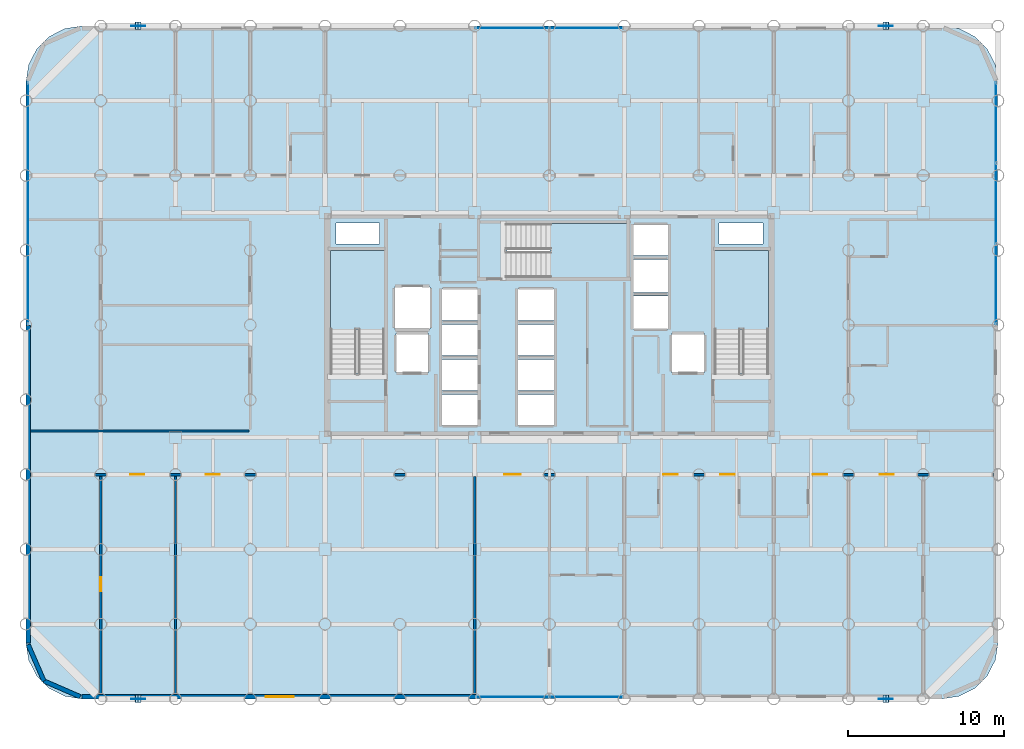
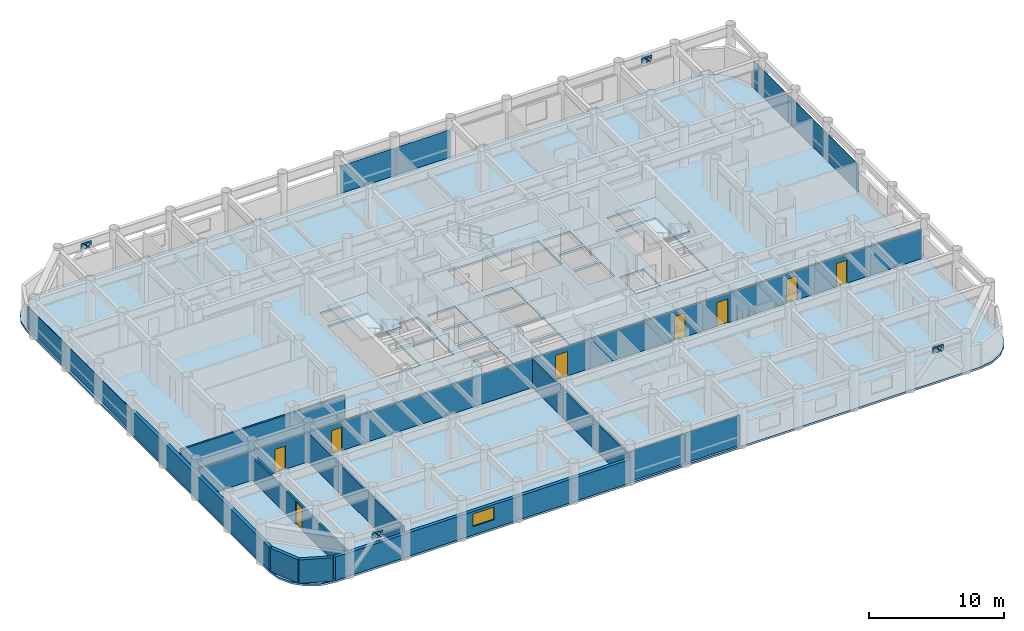
# One storey, part 15 of 21: 20 plates, 9 walls, 8 doors, 4 slabs, 1 window, 9 openings, 7 elements without a shape of their own.
"""IFC4 building model written with IfcOpenShell, lengths in metres."""

from ifc_helpers import new_model, si_unit, direction, frame, frame_2d, origin, origin_2d, place, context, subcontext, project, spatial, polyline, rectangle, outline, extrude, material, layer, layer_set, type_object, element, fill, aggregate, save


model = new_model("IFC4")

# Units and contexts
model_context = context("Model", 3, precision=1e-05, world=origin(), true_north=direction((0.0, 1.0)))
body_context = subcontext(model_context, "Body", "Model", "MODEL_VIEW")
ifc_project = project(units=[si_unit("LENGTHUNIT", "METRE"), si_unit("AREAUNIT", "SQUARE_METRE"), si_unit("VOLUMEUNIT", "CUBIC_METRE"), si_unit("PLANEANGLEUNIT", "RADIAN"), si_unit("MASSUNIT", "GRAM", prefix="KILO")], contexts=[model_context])

# Site, building, storey
site_placement = place(None, origin())
site = spatial("IfcSite", under=ifc_project, at=site_placement, CompositionType="ELEMENT")
building_placement = place(site_placement, origin())
building = spatial("IfcBuilding", under=site, at=building_placement, Name="Kallvorn Hotel Tower", CompositionType="ELEMENT")
storey_placement = place(building_placement, frame((0.0, 0.0, 44.800048828125)))
storey = spatial("IfcBuildingStorey", under=building, at=storey_placement, Name="L09", CompositionType="ELEMENT", Elevation=44.800048828125)

# Curtain wall, plates
ifc_material_1 = material(Name="Thermally broken black-anodised aluminium AA 6063-T6", Category="aluminium")
ifc_layer_1 = layer(ifc_material_1, 0.199951171875)
ifc_layer_set_1 = layer_set([ifc_layer_1], Name="CW_SYS_3_HOTEL_LOW")
curtain_wall_type = type_object("IfcCurtainWallType", Name="CW_SYS_3_HOTEL_LOW", PredefinedType="USERDEFINED", material=ifc_layer_set_1)
curtain_wall_1_placement = place(storey_placement, origin())
curtain_wall_1 = element("IfcCurtainWall", 1, at=curtain_wall_1_placement, inside=storey, type_object=curtain_wall_type, Name="L09 Dark-Glass Curtain Wall CW-L09-SC", ObjectType="UNITISED CURTAIN WALL", PredefinedType="USERDEFINED")
ifc_material_2 = material(Name="Double-glazed low-e solar-control dark glass", Category="glass")
ifc_layer_2 = layer(ifc_material_2, 0.035888671875)
ifc_layer_set_2 = layer_set([ifc_layer_2], Name="CW_SYS_3_HOTEL_LOW_PANEL")
plate_type_1 = type_object("IfcPlateType", Name="CW_SYS_3_HOTEL_LOW_PANEL", PredefinedType="CURTAIN_PANEL", material=ifc_layer_set_2)
plate_1_placement = place(storey_placement, frame((-2.375, -23.8798828125, 0.06005859375), z_axis=(0.0, 0.0, 1.0), x_axis=(1.0, 0.0, 0.0)))
plate_1 = element("IfcPlate", 2, at=plate_1_placement, type_object=plate_type_1, Name="CW-L09-SC Vision Glass Panel 00", PredefinedType="CURTAIN_PANEL", context=body_context, shape_type="SweptSolid", body=[
    extrude(rectangle(XDim=4.68994140625, YDim=0.035888671875, at=origin_2d()), origin(), (0.0, 0.0, 1.0), 2.699951171875),
])
plate_2_placement = place(storey_placement, frame((2.375, -23.8798828125, 0.06005859375), z_axis=(0.0, 0.0, 1.0), x_axis=(1.0, 0.0, 0.0)))
plate_2 = element("IfcPlate", 3, at=plate_2_placement, type_object=plate_type_1, Name="CW-L09-SC Vision Glass Panel 01", PredefinedType="CURTAIN_PANEL", context=body_context, shape_type="SweptSolid", body=[
    extrude(rectangle(XDim=4.68994140625, YDim=0.035888671875, at=origin_2d()), origin(), (0.0, 0.0, 1.0), 2.699951171875),
])
aggregate(curtain_wall_1, [plate_1, plate_2])

curtain_wall_2_placement = place(storey_placement, origin())
curtain_wall_2 = element("IfcCurtainWall", 4, at=curtain_wall_2_placement, inside=storey, type_object=curtain_wall_type, Name="L09 Dark-Glass Curtain Wall CW-L09-NC", ObjectType="UNITISED CURTAIN WALL", PredefinedType="USERDEFINED")
plate_3_placement = place(storey_placement, frame((-2.375, 19.080078125, 0.06005859375), z_axis=(0.0, 0.0, 1.0), x_axis=(1.0, 0.0, 0.0)))
plate_3 = element("IfcPlate", 5, at=plate_3_placement, type_object=plate_type_1, Name="CW-L09-NC Vision Glass Panel 00", PredefinedType="CURTAIN_PANEL", context=body_context, shape_type="SweptSolid", body=[
    extrude(rectangle(XDim=4.68994140625, YDim=0.035888671875, at=origin_2d()), origin(), (0.0, 0.0, 1.0), 2.5),
])
plate_4_placement = place(storey_placement, frame((2.375, 19.080078125, 0.06005859375), z_axis=(0.0, 0.0, 1.0), x_axis=(1.0, 0.0, 0.0)))
plate_4 = element("IfcPlate", 6, at=plate_4_placement, type_object=plate_type_1, Name="CW-L09-NC Vision Glass Panel 01", PredefinedType="CURTAIN_PANEL", context=body_context, shape_type="SweptSolid", body=[
    extrude(rectangle(XDim=4.68994140625, YDim=0.035888671875, at=origin_2d()), origin(), (0.0, 0.0, 1.0), 2.5),
])
aggregate(curtain_wall_2, [plate_3, plate_4])

# Curtain wall, plate
curtain_wall_3_placement = place(storey_placement, origin())
curtain_wall_3 = element("IfcCurtainWall", 7, at=curtain_wall_3_placement, inside=storey, type_object=curtain_wall_type, Name="L09 Dark-Glass Curtain Wall CW-L09-WN", ObjectType="UNITISED CURTAIN WALL", PredefinedType="USERDEFINED")
plate_5_placement = place(storey_placement, frame((-33.47998046875, 7.81005859375, 0.06005859375), z_axis=(0.0, 0.0, 1.0), x_axis=(0.0, 1.0, 0.0)))
plate_5 = element("IfcPlate", 8, at=plate_5_placement, type_object=plate_type_1, Name="CW-L09-WN Vision Glass Panel 00", PredefinedType="CURTAIN_PANEL", context=body_context, shape_type="SweptSolid", body=[
    extrude(rectangle(XDim=15.52001953125, YDim=0.035888671875, at=origin_2d()), origin(), (0.0, 0.0, 1.0), 2.0),
])
aggregate(curtain_wall_3, [plate_5])

# Curtain wall, plates
curtain_wall_4_placement = place(storey_placement, origin())
curtain_wall_4 = element("IfcCurtainWall", 9, at=curtain_wall_4_placement, inside=storey, type_object=curtain_wall_type, Name="L09 Dark-Glass Curtain Wall CW-L09-EN", ObjectType="UNITISED CURTAIN WALL", PredefinedType="USERDEFINED")
plate_6_placement = place(storey_placement, frame((28.679931640625, 2.61669921875, 0.06005859375), z_axis=(0.0, 0.0, 1.0), x_axis=(0.0, 1.0, 0.0)))
plate_6 = element("IfcPlate", 10, at=plate_6_placement, type_object=plate_type_1, Name="CW-L09-EN Vision Glass Panel 00", PredefinedType="CURTAIN_PANEL", context=body_context, shape_type="SweptSolid", body=[
    extrude(rectangle(XDim=5.13330078125, YDim=0.035888671875, at=origin_2d()), origin(), (0.0, 0.0, 1.0), 2.5),
])
plate_7_placement = place(storey_placement, frame((28.679931640625, 7.81005859375, 0.06005859375), z_axis=(0.0, 0.0, 1.0), x_axis=(0.0, 1.0, 0.0)))
plate_7 = element("IfcPlate", 11, at=plate_7_placement, type_object=plate_type_1, Name="CW-L09-EN Vision Glass Panel 01", PredefinedType="CURTAIN_PANEL", context=body_context, shape_type="SweptSolid", body=[
    extrude(rectangle(XDim=5.13330078125, YDim=0.035888671875, at=origin_2d()), origin(), (0.0, 0.0, 1.0), 2.5),
])
plate_8_placement = place(storey_placement, frame((28.679931640625, 13.00341796875, 0.06005859375), z_axis=(0.0, 0.0, 1.0), x_axis=(0.0, 1.0, 0.0)))
plate_8 = element("IfcPlate", 12, at=plate_8_placement, type_object=plate_type_1, Name="CW-L09-EN Vision Glass Panel 02", PredefinedType="CURTAIN_PANEL", context=body_context, shape_type="SweptSolid", body=[
    extrude(rectangle(XDim=5.13330078125, YDim=0.035888671875, at=origin_2d()), origin(), (0.0, 0.0, 1.0), 2.5),
])
aggregate(curtain_wall_4, [plate_6, plate_7, plate_8])

# Plates
ifc_material_3 = material(Name="Structural steel S355JR", Category="steel")
ifc_layer_3 = layer(ifc_material_3, 0.030029296875)
ifc_layer_set_3 = layer_set([ifc_layer_3], Name="PLT_CAP_30")
plate_type_2 = type_object("IfcPlateType", Name="PLT_CAP_30", PredefinedType="SHEET", material=ifc_layer_set_3)
for number, where, z_axis, x_axis, name in (
    (13, (-26.20947265625, -24.2431640625, 2.80859375), (0.653515319717, 0.0, 0.756913288888), (0.0, 1.0, 0.0), "EXO-L09-S1A End Cap Plate B"),
    (14, (-26.590576171875, -23.7568359375, 2.80859375), (-0.653515319717, 0.0, 0.756913288888), (0.0, -1.0, 0.0), "EXO-L09-S1B End Cap Plate B"),
    (15, (21.79052734375, -24.2431640625, 2.80859375), (0.653515319717, 0.0, 0.756913288888), (0.0, 1.0, 0.0), "EXO-L09-S2A End Cap Plate B"),
    (16, (21.409423828125, -23.7568359375, 2.80859375), (-0.653515319717, 0.0, 0.756913288888), (0.0, -1.0, 0.0), "EXO-L09-S2B End Cap Plate B"),
    (17, (-26.20947265625, 18.956787109375, 2.80859375), (0.653515319717, 0.0, 0.756913288888), (0.0, 1.0, 0.0), "EXO-L09-N1A End Cap Plate B"),
    (18, (-26.590576171875, 19.443115234375, 2.80859375), (-0.653515319717, 0.0, 0.756913288888), (0.0, -1.0, 0.0), "EXO-L09-N1B End Cap Plate B"),
    (19, (21.79052734375, 18.956787109375, 2.80859375), (0.653515319717, 0.0, 0.756913288888), (0.0, 1.0, 0.0), "EXO-L09-N2A End Cap Plate B"),
    (20, (21.409423828125, 19.443115234375, 2.80859375), (-0.653515319717, 0.0, 0.756913288888), (0.0, -1.0, 0.0), "EXO-L09-N2B End Cap Plate B"),
):
    element("IfcPlate", number, at=place(storey_placement, frame(where, z_axis=z_axis, x_axis=x_axis)), inside=storey, type_object=plate_type_2, Name=name, PredefinedType="SHEET", context=body_context, shape_type="SweptSolid", body=[
        extrude(outline(polyline([(0.0, 0.0), (0.486328125, 0.0), (0.486328125, 0.4864019008580509), (0.0, 0.4864019008580509), (0.0, 0.0)])), origin(), (0.0, 0.0, -1.0), 0.030029296875),
    ])
ifc_material_4 = material(Name="Structural steel S355JR", Category="steel")
ifc_layer_4 = layer(ifc_material_4, 0.044921875)
ifc_layer_set_4 = layer_set([ifc_layer_4], Name="PLT_GUSSET_45")
plate_type_3 = type_object("IfcPlateType", Name="PLT_GUSSET_45", PredefinedType="USERDEFINED", material=ifc_layer_set_4)
for number, where, z_axis, x_axis, name in (
    (21, (-26.39990234375, -24.0, 2.639892578125), (0.0, 0.0, 1.0), (1.0, 0.0, 0.0), "L09 Exoskeleton Node Gusset S1"),
    (22, (21.60009765625, -24.0, 2.639892578125), (0.0, 0.0, 1.0), (1.0, 0.0, 0.0), "L09 Exoskeleton Node Gusset S2"),
    (23, (-26.39990234375, 19.199951171875, 2.639892578125), (0.0, 0.0, 1.0), (1.0, 0.0, 0.0), "L09 Exoskeleton Node Gusset N1"),
    (24, (21.60009765625, 19.199951171875, 2.639892578125), (0.0, 0.0, 1.0), (1.0, 0.0, 0.0), "L09 Exoskeleton Node Gusset N2"),
):
    element("IfcPlate", number, at=place(storey_placement, frame(where, z_axis=z_axis, x_axis=x_axis)), inside=storey, type_object=plate_type_3, Name=name, ObjectType="GUSSET PLATE", PredefinedType="USERDEFINED", context=body_context, shape_type="SweptSolid", body=[
        extrude(rectangle(XDim=0.89990234375, YDim=0.044921875, at=origin_2d()), origin(), (0.0, 0.0, 1.0), 0.56005859375),
    ])

# Stair, slab
ifc_material_5 = material(Name="Precast concrete C40/50", Category="concrete")
stair_type = type_object("IfcStairType", Name="STR_CORE_DOGLEG", PredefinedType="HALF_TURN_STAIR", material=ifc_material_5)
stair_1_placement = place(storey_placement, origin())
stair_1 = element("IfcStair", 25, at=stair_1_placement, inside=storey, type_object=stair_type, Name="L09 Exit stair ST1", PredefinedType="HALF_TURN_STAIR")
ifc_material_6 = material(Name="Precast concrete C40/50", Category="concrete")
ifc_layer_5 = layer(ifc_material_6, 0.179931640625)
ifc_layer_set_5 = layer_set([ifc_layer_5], Name="SLB_LANDING_180")
slab_type_1 = type_object("IfcSlabType", Name="SLB_LANDING_180", PredefinedType="LANDING", material=ifc_layer_set_5)
slab_1_placement = place(storey_placement, frame((0.0, 0.0, 1.64990234375)))
slab_1 = element("IfcSlab", 26, at=slab_1_placement, type_object=slab_type_1, Name="ST1 landing 1", PredefinedType="LANDING", context=body_context, shape_type="SweptSolid", body=[
    extrude(outline(polyline([(-10.60009765625, -0.31005859375), (-10.60009765625, 4.800048828125), (-14.06005859375, 4.800048828125), (-14.06005859375, -0.31005859375), (-10.60009765625, -0.31005859375)])), origin(), (0.0, 0.0, 1.0), 0.199951171875),
])
aggregate(stair_1, [slab_1])

stair_2_placement = place(storey_placement, origin())
stair_2 = element("IfcStair", 27, at=stair_2_placement, inside=storey, type_object=stair_type, Name="L09 Exit stair ST2", PredefinedType="HALF_TURN_STAIR")
slab_2_placement = place(storey_placement, frame((0.0, 0.0, 1.64990234375)))
slab_2 = element("IfcSlab", 28, at=slab_2_placement, type_object=slab_type_1, Name="ST2 landing 1", PredefinedType="LANDING", context=body_context, shape_type="SweptSolid", body=[
    extrude(outline(polyline([(14.06005859375, -0.31005859375), (14.06005859375, 4.800048828125), (10.60009765625, 4.800048828125), (10.60009765625, -0.31005859375), (14.06005859375, -0.31005859375)])), origin(), (0.0, 0.0, 1.0), 0.199951171875),
])
aggregate(stair_2, [slab_2])

stair_3_placement = place(storey_placement, origin())
stair_3 = element("IfcStair", 29, at=stair_3_placement, inside=storey, type_object=stair_type, Name="L09 Exit stair ST3", PredefinedType="HALF_TURN_STAIR")
slab_3_placement = place(storey_placement, frame((0.0, 0.0, 1.64990234375)))
slab_3 = element("IfcSlab", 30, at=slab_3_placement, type_object=slab_type_1, Name="ST3 landing 1", PredefinedType="LANDING", context=body_context, shape_type="SweptSolid", body=[
    extrude(outline(polyline([(0.0400390625, 3.050048828125), (5.050048828125, 3.050048828125), (5.050048828125, 6.510009765625), (0.0400390625, 6.510009765625), (0.0400390625, 3.050048828125)])), origin(), (0.0, 0.0, 1.0), 0.199951171875),
])
aggregate(stair_3, [slab_3])

# Slab
ifc_material_7 = material(Name="Concrete C40/50", Category="concrete")
ifc_layer_6 = layer(ifc_material_7, 0.179931640625)
ifc_layer_set_6 = layer_set([ifc_layer_6], Name="SLB_TOWER_180")
slab_type_2 = type_object("IfcSlabType", Name="SLB_TOWER_180", PredefinedType="FLOOR", material=ifc_layer_set_6)
slab_4_placement = place(storey_placement, frame((0.0, 0.0, -0.179931640625)))
element("IfcSlab", 31, at=slab_4_placement, inside=storey, type_object=slab_type_2, Name="L09 Structural Floor Slab", PredefinedType="FLOOR", context=body_context, shape_type="SweptSolid", body=[
    extrude(outline(polyline([(25.199951171875, -24.0), (26.3125, -23.82373046875), (27.31591796875, -23.3125), (28.112548828125, -22.51611328125), (28.623779296875, -21.512451171875), (28.800048828125, -20.39990234375), (28.800048828125, 15.60009765625), (28.623779296875, 16.71240234375), (28.112548828125, 17.716064453125), (27.31591796875, 18.512451171875), (26.3125, 19.023681640625), (25.199951171875, 19.199951171875), (-30.0, 19.199951171875), (-31.112548828125, 19.023681640625), (-32.115966796875, 18.512451171875), (-32.91259765625, 17.716064453125), (-33.423828125, 16.71240234375), (-33.60009765625, 15.60009765625), (-33.60009765625, -20.39990234375), (-33.423828125, -21.512451171875), (-32.91259765625, -22.51611328125), (-32.115966796875, -23.3125), (-31.112548828125, -23.82373046875), (-30.0, -24.0), (25.199951171875, -24.0)]), holes=[polyline([(-10.60009765625, -3.070068359375), (-10.60009765625, 4.800048828125), (-14.06005859375, 4.800048828125), (-14.06005859375, -3.070068359375), (-10.60009765625, -3.070068359375)]), polyline([(14.06005859375, -3.070068359375), (14.06005859375, 4.800048828125), (10.60009765625, 4.800048828125), (10.60009765625, -3.070068359375), (14.06005859375, -3.070068359375)]), polyline([(-2.719970703125, 3.050048828125), (5.050048828125, 3.050048828125), (5.050048828125, 6.510009765625), (-2.719970703125, 6.510009765625), (-2.719970703125, 3.050048828125)]), polyline([(-6.949951171875, -6.449951171875), (-4.550048828125, -6.449951171875), (-4.550048828125, -4.449951171875), (-6.949951171875, -4.449951171875), (-6.949951171875, -6.449951171875)]), polyline([(-6.949951171875, -4.199951171875), (-4.550048828125, -4.199951171875), (-4.550048828125, -2.199951171875), (-6.949951171875, -2.199951171875), (-6.949951171875, -4.199951171875)]), polyline([(-6.949951171875, -1.949951171875), (-4.550048828125, -1.949951171875), (-4.550048828125, 0.050048828125), (-6.949951171875, 0.050048828125), (-6.949951171875, -1.949951171875)]), polyline([(-6.949951171875, 0.300048828125), (-4.550048828125, 0.300048828125), (-4.550048828125, 2.300048828125), (-6.949951171875, 2.300048828125), (-6.949951171875, 0.300048828125)]), polyline([(-2.050048828125, -6.449951171875), (0.35009765625, -6.449951171875), (0.35009765625, -4.449951171875), (-2.050048828125, -4.449951171875), (-2.050048828125, -6.449951171875)]), polyline([(-2.050048828125, -4.199951171875), (0.35009765625, -4.199951171875), (0.35009765625, -2.199951171875), (-2.050048828125, -2.199951171875), (-2.050048828125, -4.199951171875)]), polyline([(-2.050048828125, -1.949951171875), (0.35009765625, -1.949951171875), (0.35009765625, 0.050048828125), (-2.050048828125, 0.050048828125), (-2.050048828125, -1.949951171875)]), polyline([(-2.050048828125, 0.300048828125), (0.35009765625, 0.300048828125), (0.35009765625, 2.300048828125), (-2.050048828125, 2.300048828125), (-2.050048828125, 0.300048828125)]), polyline([(5.35009765625, -0.25), (7.64990234375, -0.25), (7.64990234375, 1.85009765625), (5.35009765625, 1.85009765625), (5.35009765625, -0.25)]), polyline([(5.35009765625, 2.10009765625), (7.64990234375, 2.10009765625), (7.64990234375, 4.199951171875), (5.35009765625, 4.199951171875), (5.35009765625, 2.10009765625)]), polyline([(5.35009765625, 4.449951171875), (7.64990234375, 4.449951171875), (7.64990234375, 6.449951171875), (5.35009765625, 6.449951171875), (5.35009765625, 4.449951171875)]), polyline([(-9.85009765625, -3.050048828125), (-7.75, -3.050048828125), (-7.75, -0.550048828125), (-9.85009765625, -0.550048828125), (-9.85009765625, -3.050048828125)]), polyline([(7.85009765625, -3.050048828125), (9.949951171875, -3.050048828125), (9.949951171875, -0.550048828125), (7.85009765625, -0.550048828125), (7.85009765625, -3.050048828125)]), polyline([(-9.949951171875, -0.25), (-7.64990234375, -0.25), (-7.64990234375, 2.449951171875), (-9.949951171875, 2.449951171875), (-9.949951171875, -0.25)]), polyline([(-13.699951171875, 5.199951171875), (-10.89990234375, 5.199951171875), (-10.89990234375, 6.550048828125), (-13.699951171875, 6.550048828125), (-13.699951171875, 5.199951171875)]), polyline([(10.89990234375, 5.199951171875), (13.699951171875, 5.199951171875), (13.699951171875, 6.550048828125), (10.89990234375, 6.550048828125), (10.89990234375, 5.199951171875)])]), origin(), (0.0, 0.0, 1.0), 0.179931640625),
])

# Wall, openings, doors
ifc_material_8 = material(Name="Fire-rated double-layer acoustic gypsum drywall EI 60")
ifc_layer_7 = layer(ifc_material_8, 0.159912109375)
ifc_layer_set_7 = layer_set([ifc_layer_7], Name="WL_DEMISE_160")
wall_type_1 = type_object("IfcWallType", Name="WL_DEMISE_160", PredefinedType="PARTITIONING", material=ifc_layer_set_7)
wall_1_placement = place(storey_placement, frame((-33.31005859375, -9.60009765625, 0.0), z_axis=(0.0, 0.0, 1.0), x_axis=(1.0, 0.0, 0.0)))
wall_1 = element("IfcWall", 32, at=wall_1_placement, inside=storey, type_object=wall_type_1, Name="L09 Suite 903 Executive Living Salon Partition", PredefinedType="PARTITIONING", context=body_context, shape_type="SweptSolid", body=[
    extrude(rectangle(XDim=61.820068359375, YDim=0.159912109375, at=frame_2d((30.91015625, 0.0))), origin(), (0.0, 0.0, 1.0), 2.619873046875),
])
opening_1_placement = place(wall_1_placement, frame((6.419921875, 0.0, 0.0)))
opening_1 = element("IfcOpeningElement", 33, at=opening_1_placement, cuts=wall_1, Name="Opening SVD1", PredefinedType="OPENING", context=body_context, shape_type="SweptSolid", body=[
    extrude(rectangle(XDim=0.89990234375, YDim=2.10009765625, at=frame_2d((0.449951171875, 1.050048828125))), frame((0.0, 0.094970703125, 0.0), z_axis=(0.0, -1.0, 0.0), x_axis=(1.0, 0.0, 0.0)), (0.0, 0.0, 1.0), 0.18994140625),
])
opening_2_placement = place(wall_1_placement, frame((54.5, 0.0, 0.0)))
opening_2 = element("IfcOpeningElement", 34, at=opening_2_placement, cuts=wall_1, Name="Opening SVD1", PredefinedType="OPENING", context=body_context, shape_type="SweptSolid", body=[
    extrude(rectangle(XDim=0.89990234375, YDim=2.10009765625, at=frame_2d((0.449951171875, 1.050048828125))), frame((0.0, 0.094970703125, 0.0), z_axis=(0.0, -1.0, 0.0), x_axis=(1.0, 0.0, 0.0)), (0.0, 0.0, 1.0), 0.18994140625),
])
opening_3_placement = place(wall_1_placement, frame((11.260009765625, 0.0, 0.0)))
opening_3 = element("IfcOpeningElement", 35, at=opening_3_placement, cuts=wall_1, Name="Opening SVD1", PredefinedType="OPENING", context=body_context, shape_type="SweptSolid", body=[
    extrude(rectangle(XDim=0.89990234375, YDim=2.10009765625, at=frame_2d((0.449951171875, 1.050048828125))), frame((0.0, 0.094970703125, 0.0), z_axis=(0.0, -1.0, 0.0), x_axis=(1.0, 0.0, 0.0)), (0.0, 0.0, 1.0), 0.18994140625),
])
opening_4_placement = place(wall_1_placement, frame((30.425048828125, 0.0, 0.0)))
opening_4 = element("IfcOpeningElement", 36, at=opening_4_placement, cuts=wall_1, Name="Opening GD2", PredefinedType="OPENING", context=body_context, shape_type="SweptSolid", body=[
    extrude(rectangle(XDim=1.050048828125, YDim=2.199951171875, at=frame_2d((0.52490234375, 1.10009765625))), frame((0.0, 0.094970703125, 0.0), z_axis=(0.0, -1.0, 0.0), x_axis=(1.0, 0.0, 0.0)), (0.0, 0.0, 1.0), 0.18994140625),
])
opening_5_placement = place(wall_1_placement, frame((40.6201171875, 0.0, 0.0)))
opening_5 = element("IfcOpeningElement", 37, at=opening_5_placement, cuts=wall_1, Name="Opening GD1", PredefinedType="OPENING", context=body_context, shape_type="SweptSolid", body=[
    extrude(rectangle(XDim=0.919921875, YDim=2.14990234375, at=frame_2d((0.4599609375, 1.074951171875))), frame((0.0, 0.094970703125, 0.0), z_axis=(0.0, -1.0, 0.0), x_axis=(1.0, 0.0, 0.0)), (0.0, 0.0, 1.0), 0.18994140625),
])
opening_6_placement = place(wall_1_placement, frame((44.280029296875, 0.0, 0.0)))
opening_6 = element("IfcOpeningElement", 38, at=opening_6_placement, cuts=wall_1, Name="Opening GD1", PredefinedType="OPENING", context=body_context, shape_type="SweptSolid", body=[
    extrude(rectangle(XDim=0.919921875, YDim=2.14990234375, at=frame_2d((0.4599609375, 1.074951171875))), frame((0.0, 0.094970703125, 0.0), z_axis=(0.0, -1.0, 0.0), x_axis=(1.0, 0.0, 0.0)), (0.0, 0.0, 1.0), 0.18994140625),
])
opening_7_placement = place(wall_1_placement, frame((50.219970703125, 0.0, 0.0)))
opening_7 = element("IfcOpeningElement", 39, at=opening_7_placement, cuts=wall_1, Name="Opening GD1", PredefinedType="OPENING", context=body_context, shape_type="SweptSolid", body=[
    extrude(rectangle(XDim=0.919921875, YDim=2.14990234375, at=frame_2d((0.4599609375, 1.074951171875))), frame((0.0, 0.094970703125, 0.0), z_axis=(0.0, -1.0, 0.0), x_axis=(1.0, 0.0, 0.0)), (0.0, 0.0, 1.0), 0.18994140625),
])
ifc_material_9 = material(Name="Solid-core walnut veneer fire-rated timber door leaf", Category="wood")
door_type_1 = type_object("IfcDoorType", Name="DR_GUEST_920x2150", OperationType="NOTDEFINED", PredefinedType="DOOR", material=ifc_material_9)
door_1_placement = place(opening_5_placement, origin())
door_1 = element("IfcDoor", 40, at=door_1_placement, inside=storey, type_object=door_type_1, Name="L09 Suite 904 Superior Twin Room Door", OperationType="SINGLE_SWING_RIGHT", OverallHeight=2.14990234375, OverallWidth=0.919921875, PredefinedType="DOOR", context=body_context, shape_type="SweptSolid", body=[
    extrude(rectangle(XDim=0.919921875, YDim=2.14990234375, at=frame_2d((0.4599609375, 1.074951171875))), frame((0.0, 0.02490234375, 0.0), z_axis=(0.0, -1.0, 0.0), x_axis=(1.0, 0.0, 0.0)), (0.0, 0.0, 1.0), 0.050048828125),
])
fill(opening_5, door_1)
door_2_placement = place(opening_6_placement, origin())
door_2 = element("IfcDoor", 41, at=door_2_placement, inside=storey, type_object=door_type_1, Name="L09 Suite 905 Superior Twin Room Door", OperationType="SINGLE_SWING_RIGHT", OverallHeight=2.14990234375, OverallWidth=0.919921875, PredefinedType="DOOR", context=body_context, shape_type="SweptSolid", body=[
    extrude(rectangle(XDim=0.919921875, YDim=2.14990234375, at=frame_2d((0.4599609375, 1.074951171875))), frame((0.0, 0.02490234375, 0.0), z_axis=(0.0, -1.0, 0.0), x_axis=(1.0, 0.0, 0.0)), (0.0, 0.0, 1.0), 0.050048828125),
])
fill(opening_6, door_2)
door_3_placement = place(opening_7_placement, origin())
door_3 = element("IfcDoor", 42, at=door_3_placement, inside=storey, type_object=door_type_1, Name="L09 Suite 906 Superior Twin Room Door", OperationType="SINGLE_SWING_RIGHT", OverallHeight=2.14990234375, OverallWidth=0.919921875, PredefinedType="DOOR", context=body_context, shape_type="SweptSolid", body=[
    extrude(rectangle(XDim=0.919921875, YDim=2.14990234375, at=frame_2d((0.4599609375, 1.074951171875))), frame((0.0, 0.02490234375, 0.0), z_axis=(0.0, -1.0, 0.0), x_axis=(1.0, 0.0, 0.0)), (0.0, 0.0, 1.0), 0.050048828125),
])
fill(opening_7, door_3)
ifc_material_10 = material(Name="Galvanised painted steel fire-rated door assembly", Category="steel")
door_type_2 = type_object("IfcDoorType", Name="DR_SERV_900x2100", OperationType="NOTDEFINED", PredefinedType="DOOR", material=ifc_material_10)
door_4_placement = place(opening_1_placement, origin())
door_4 = element("IfcDoor", 43, at=door_4_placement, inside=storey, type_object=door_type_2, Name="L09 L09 South-West Botanical Bar B Door", OperationType="SINGLE_SWING_LEFT", OverallHeight=2.10009765625, OverallWidth=0.89990234375, PredefinedType="DOOR", context=body_context, shape_type="SweptSolid", body=[
    extrude(rectangle(XDim=0.89990234375, YDim=2.10009765625, at=frame_2d((0.449951171875, 1.050048828125))), frame((0.0, 0.02490234375, 0.0), z_axis=(0.0, -1.0, 0.0), x_axis=(1.0, 0.0, 0.0)), (0.0, 0.0, 1.0), 0.050048828125),
])
fill(opening_1, door_4)
door_5_placement = place(opening_2_placement, origin())
door_5 = element("IfcDoor", 44, at=door_5_placement, inside=storey, type_object=door_type_2, Name="L09 L09 South-East Sommelier Bar A Door", OperationType="SINGLE_SWING_LEFT", OverallHeight=2.10009765625, OverallWidth=0.89990234375, PredefinedType="DOOR", context=body_context, shape_type="SweptSolid", body=[
    extrude(rectangle(XDim=0.89990234375, YDim=2.10009765625, at=frame_2d((0.449951171875, 1.050048828125))), frame((0.0, 0.02490234375, 0.0), z_axis=(0.0, -1.0, 0.0), x_axis=(1.0, 0.0, 0.0)), (0.0, 0.0, 1.0), 0.050048828125),
])
fill(opening_2, door_5)
door_6_placement = place(opening_3_placement, origin())
door_6 = element("IfcDoor", 45, at=door_6_placement, inside=storey, type_object=door_type_2, Name="L09 L09 Executive Co-Working Open-Plan Office 1 Door", OperationType="SINGLE_SWING_LEFT", OverallHeight=2.10009765625, OverallWidth=0.89990234375, PredefinedType="DOOR", context=body_context, shape_type="SweptSolid", body=[
    extrude(rectangle(XDim=0.89990234375, YDim=2.10009765625, at=frame_2d((0.449951171875, 1.050048828125))), frame((0.0, 0.02490234375, 0.0), z_axis=(0.0, -1.0, 0.0), x_axis=(1.0, 0.0, 0.0)), (0.0, 0.0, 1.0), 0.050048828125),
])
fill(opening_3, door_6)
ifc_material_11 = material(Name="Solid-core walnut veneer fire-rated timber door leaf", Category="wood")
door_type_3 = type_object("IfcDoorType", Name="DR_SUITE_1050x2200", OperationType="NOTDEFINED", PredefinedType="DOOR", material=ifc_material_11)
door_7_placement = place(opening_4_placement, origin())
door_7 = element("IfcDoor", 46, at=door_7_placement, inside=storey, type_object=door_type_3, Name="L09 Suite 903 Executive Living Salon Door", OperationType="SINGLE_SWING_RIGHT", OverallHeight=2.199951171875, OverallWidth=1.050048828125, PredefinedType="DOOR", context=body_context, shape_type="SweptSolid", body=[
    extrude(rectangle(XDim=1.050048828125, YDim=2.199951171875, at=frame_2d((0.52490234375, 1.10009765625))), frame((0.0, 0.02490234375, 0.0), z_axis=(0.0, -1.0, 0.0), x_axis=(1.0, 0.0, 0.0)), (0.0, 0.0, 1.0), 0.050048828125),
])
fill(opening_4, door_7)

# Walls
wall_2_placement = place(storey_placement, frame((-4.800048828125, -23.7099609375, 0.0), z_axis=(0.0, 0.0, 1.0), x_axis=(0.0, 1.0, 0.0)))
element("IfcWall", 47, at=wall_2_placement, inside=storey, type_object=wall_type_1, Name="L09 Suite 903 Executive Living Salon Partition", PredefinedType="PARTITIONING", context=body_context, shape_type="SweptSolid", body=[
    extrude(rectangle(XDim=13.989990234375, YDim=0.159912109375, at=frame_2d((6.9951171875, 0.0))), origin(), (0.0, 0.0, 1.0), 2.619873046875),
])
ifc_material_12 = material(Name="Precast basalt-clad insulated concrete wall C40/50", Category="masonry")
ifc_layer_8 = layer(ifc_material_12, 0.280029296875)
ifc_layer_set_8 = layer_set([ifc_layer_8], Name="WL_EXT_LOGGIA_280")
wall_type_2 = type_object("IfcWallType", Name="WL_EXT_LOGGIA_280", PredefinedType="SOLIDWALL", material=ifc_layer_set_8)
wall_3_placement = place(storey_placement, frame((-33.4580078125, -20.520751953125, 0.0), z_axis=(0.0, 0.0, 1.0), x_axis=(0.398792985289, -0.917040977756, 0.0)))
element("IfcWall", 48, at=wall_3_placement, inside=storey, type_object=wall_type_2, Name="L09 Rounded Corner Exterior Wall SW1", PredefinedType="SOLIDWALL", context=body_context, shape_type="SweptSolid", body=[
    extrude(rectangle(XDim=2.536376953125, YDim=0.280029296875, at=frame_2d((1.26806640625, 0.0))), origin(), (0.0, 0.0, 1.0), 2.119873046875),
])
wall_4_placement = place(storey_placement, frame((-32.446533203125, -22.8466796875, 0.0), z_axis=(0.0, 0.0, 1.0), x_axis=(0.917060872934, -0.398747232384, 0.0)))
element("IfcWall", 49, at=wall_4_placement, inside=storey, type_object=wall_type_2, Name="L09 Rounded Corner Exterior Wall SW2", PredefinedType="SOLIDWALL", context=body_context, shape_type="SweptSolid", body=[
    extrude(rectangle(XDim=2.5361328125, YDim=0.280029296875, at=frame_2d((1.26806640625, 0.0))), origin(), (0.0, 0.0, 1.0), 2.119873046875),
])

# Wall, opening, window
wall_5_placement = place(storey_placement, frame((-30.0, -23.860107421875, 0.0), z_axis=(0.0, 0.0, 1.0), x_axis=(1.0, 0.0, 0.0)))
wall_5 = element("IfcWall", 50, at=wall_5_placement, inside=storey, type_object=wall_type_2, Name="L09 Exterior Envelope Wall EW-L09-SW", PredefinedType="SOLIDWALL", context=body_context, shape_type="SweptSolid", body=[
    extrude(rectangle(XDim=25.25, YDim=0.280029296875, at=frame_2d((12.625, 0.0))), origin(), (0.0, 0.0, 1.0), 2.119873046875),
])
opening_8_placement = place(wall_5_placement, frame((11.798095703125, 0.0, 0.75)))
opening_8 = element("IfcOpeningElement", 51, at=opening_8_placement, cuts=wall_5, Name="Opening W04A", PredefinedType="OPENING", context=body_context, shape_type="SweptSolid", body=[
    extrude(rectangle(XDim=1.800048828125, YDim=1.14990234375, at=frame_2d((0.89990234375, 0.574951171875))), frame((0.0, 0.155029296875, 0.0), z_axis=(0.0, -1.0, 0.0), x_axis=(1.0, 0.0, 0.0)), (0.0, 0.0, 1.0), 0.31005859375),
])
ifc_material_13 = material(Name="Double-glazed low-e solar-control dark glass", Category="glass")
window_type = type_object("IfcWindowType", Name="WN_HTL_1800x1150", PartitioningType="SINGLE_PANEL", PredefinedType="WINDOW", material=ifc_material_13)
window_placement = place(opening_8_placement, origin())
window = element("IfcWindow", 52, at=window_placement, inside=storey, type_object=window_type, Name="L09 Guestroom Exterior Window 02", OverallHeight=1.14990234375, OverallWidth=1.800048828125, PartitioningType="SINGLE_PANEL", PredefinedType="WINDOW", context=body_context, shape_type="SweptSolid", body=[
    extrude(rectangle(XDim=1.800048828125, YDim=1.14990234375, at=frame_2d((0.89990234375, 0.574951171875))), frame((0.0, 0.030029296875, 0.0), z_axis=(0.0, -1.0, 0.0), x_axis=(1.0, 0.0, 0.0)), (0.0, 0.0, 1.0), 0.06005859375),
])
fill(opening_8, window)

# Walls
wall_6_placement = place(storey_placement, frame((-33.4599609375, -20.39990234375, 0.0), z_axis=(0.0, 0.0, 1.0), x_axis=(0.0, 1.0, 0.0)))
element("IfcWall", 53, at=wall_6_placement, inside=storey, type_object=wall_type_2, Name="L09 Exterior Envelope Wall EW-L09-WS", PredefinedType="SOLIDWALL", context=body_context, shape_type="SweptSolid", body=[
    extrude(rectangle(XDim=20.3798828125, YDim=0.280029296875, at=frame_2d((10.18994140625, 0.0))), origin(), (0.0, 0.0, 1.0), 2.119873046875),
])
ifc_material_14 = material(Name="Fire-rated double-layer acoustic gypsum drywall EI 60")
ifc_layer_9 = layer(ifc_material_14, 0.14990234375)
ifc_layer_set_9 = layer_set([ifc_layer_9], Name="WL_PART_150")
wall_type_3 = type_object("IfcWallType", Name="WL_PART_150", PredefinedType="PARTITIONING", material=ifc_layer_set_9)
wall_7_placement = place(storey_placement, frame((-33.31005859375, -6.800048828125, 0.0), z_axis=(0.0, 0.0, 1.0), x_axis=(1.0, 0.0, 0.0)))
element("IfcWall", 54, at=wall_7_placement, inside=storey, type_object=wall_type_3, Name="L09 L09 W Cordillera Panorama Dining Salon Partition", PredefinedType="PARTITIONING", context=body_context, shape_type="SweptSolid", body=[
    extrude(rectangle(XDim=14.030029296875, YDim=0.14990234375, at=frame_2d((7.01513671875, 0.0))), origin(), (0.0, 0.0, 1.0), 2.619873046875),
])

# Wall, opening, door
wall_8_placement = place(storey_placement, frame((-28.800048828125, -23.7099609375, 0.0), z_axis=(0.0, 0.0, 1.0), x_axis=(0.0, 1.0, 0.0)))
wall_8 = element("IfcWall", 55, at=wall_8_placement, inside=storey, type_object=wall_type_3, Name="L09 L09 South-West Botanical Bar A Partition", PredefinedType="PARTITIONING", context=body_context, shape_type="SweptSolid", body=[
    extrude(rectangle(XDim=13.989990234375, YDim=0.14990234375, at=frame_2d((6.9951171875, 0.0))), origin(), (0.0, 0.0, 1.0), 2.119873046875),
])
opening_9_placement = place(wall_8_placement, frame((6.625, 0.0, 0.0)))
opening_9 = element("IfcOpeningElement", 56, at=opening_9_placement, cuts=wall_8, Name="Opening SVD1A", PredefinedType="OPENING", context=body_context, shape_type="SweptSolid", body=[
    extrude(rectangle(XDim=0.89990234375, YDim=2.02001953125, at=frame_2d((0.449951171875, 1.010009765625))), frame((0.0, 0.08984375, 0.0), z_axis=(0.0, -1.0, 0.0), x_axis=(1.0, 0.0, 0.0)), (0.0, 0.0, 1.0), 0.179931640625),
])
ifc_material_15 = material(Name="Galvanised painted steel fire-rated door assembly", Category="steel")
door_type_4 = type_object("IfcDoorType", Name="DR_SERV_900x2020", OperationType="NOTDEFINED", PredefinedType="DOOR", material=ifc_material_15)
door_8_placement = place(opening_9_placement, origin())
door_8 = element("IfcDoor", 57, at=door_8_placement, inside=storey, type_object=door_type_4, Name="L09 L09 South-West Botanical Bar A Door", OperationType="SINGLE_SWING_RIGHT", OverallHeight=2.02001953125, OverallWidth=0.89990234375, PredefinedType="DOOR", context=body_context, shape_type="SweptSolid", body=[
    extrude(rectangle(XDim=0.89990234375, YDim=2.02001953125, at=frame_2d((0.449951171875, 1.010009765625))), frame((0.0, 0.02490234375, 0.0), z_axis=(0.0, -1.0, 0.0), x_axis=(1.0, 0.0, 0.0)), (0.0, 0.0, 1.0), 0.050048828125),
])
fill(opening_9, door_8)

# Wall
wall_9_placement = place(storey_placement, frame((-24.0, -23.7099609375, 0.0), z_axis=(0.0, 0.0, 1.0), x_axis=(0.0, 1.0, 0.0)))
element("IfcWall", 58, at=wall_9_placement, inside=storey, type_object=wall_type_3, Name="L09 L09 Executive Co-Working Open-Plan Office 1 Partition", PredefinedType="PARTITIONING", context=body_context, shape_type="SweptSolid", body=[
    extrude(rectangle(XDim=13.989990234375, YDim=0.14990234375, at=frame_2d((6.9951171875, 0.0))), origin(), (0.0, 0.0, 1.0), 2.619873046875),
])

save(model, "model.ifc")
